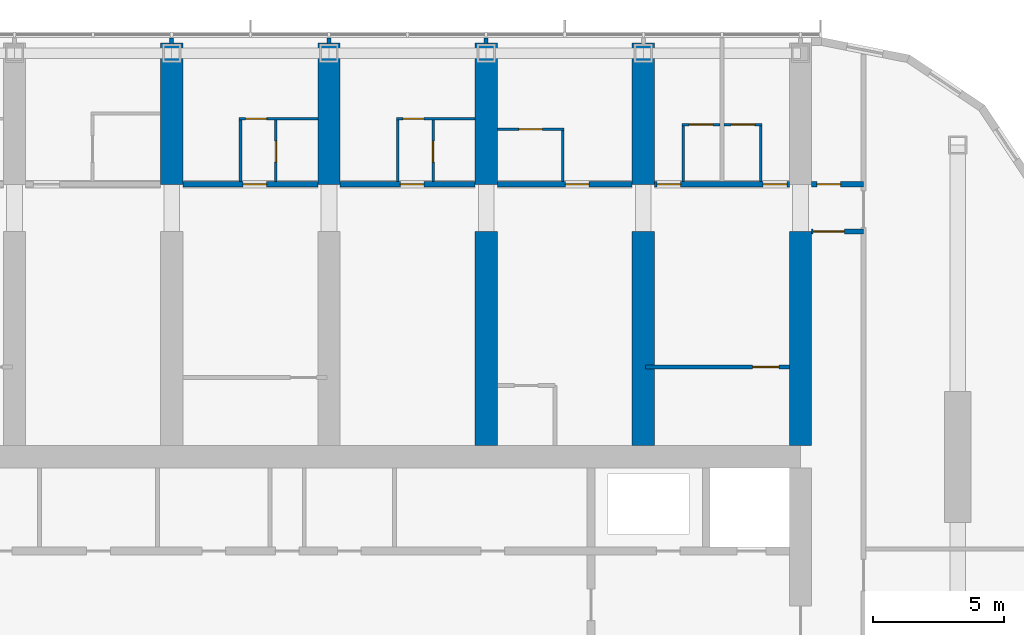
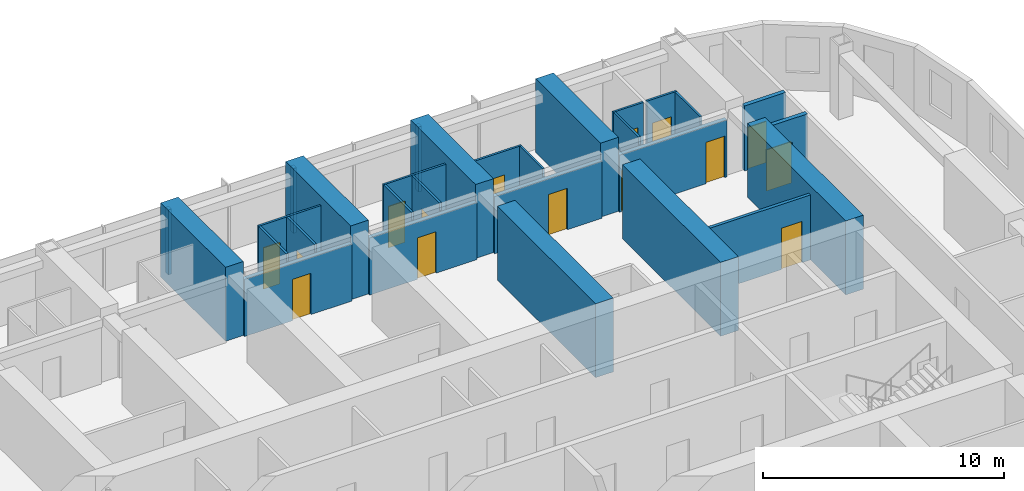
# One storey, part 16 of 22: 29 walls, 15 doors, 15 openings.
"""IFC4 building model written with IfcOpenShell, lengths in metres."""

from ifc_helpers import new_model, si_unit, direction, frame, frame_2d, origin, place, context, subcontext, project, spatial, polyline, rectangle, outline, extrude, material, layer, layer_set, type_object, element, fill, save


model = new_model("IFC4")

# Units and contexts
model_context = context("Model", 3, precision=1e-05, world=origin(), true_north=direction((0.0, 1.0)))
body_context = subcontext(model_context, "Body", "Model", "MODEL_VIEW")
ifc_project = project(units=[si_unit("LENGTHUNIT", "METRE"), si_unit("AREAUNIT", "SQUARE_METRE"), si_unit("VOLUMEUNIT", "CUBIC_METRE"), si_unit("PLANEANGLEUNIT", "RADIAN"), si_unit("MASSUNIT", "GRAM", prefix="KILO")], contexts=[model_context])

# Site, building, storey
site_placement = place(None, origin())
site = spatial("IfcSite", under=ifc_project, at=site_placement, CompositionType="ELEMENT")
building_placement = place(site_placement, origin())
building = spatial("IfcBuilding", under=site, at=building_placement, Name="Orbita Commons", CompositionType="ELEMENT")
storey_placement = place(building_placement, frame((0.0, 0.0, 159.85009765625)))
storey = spatial("IfcBuildingStorey", under=building, at=storey_placement, Name="L39", CompositionType="ELEMENT", Elevation=159.85009765625)

# Wall, opening, door
ifc_material_1 = material(Name="Concrete blockwork", Category="masonry")
ifc_layer_1 = layer(ifc_material_1, 0.199951171875)
ifc_layer_set_1 = layer_set([ifc_layer_1], Name="Concrete blockwork")
wall_type_1 = type_object("IfcWallType", Name="Corridor wall 200 blockwork", PredefinedType="SOLIDWALL", material=ifc_layer_set_1)
wall_1_placement = place(storey_placement, frame((42.425048828125, 48.60009765625, 0.0), z_axis=(0.0, 0.0, 1.0), x_axis=(1.0, 0.0, 0.0)))
wall_1 = element("IfcWall", 1, at=wall_1_placement, inside=storey, type_object=wall_type_1, Name="Corridor wall 200 blockwork L39", PredefinedType="SOLIDWALL", context=body_context, shape_type="SweptSolid", body=[
    extrude(outline(polyline([(0.0, 0.0), (5.14990234375, 0.0), (5.14990234375, 2.89990234375), (0.0, 2.89990234375), (0.0, 0.0)])), frame((0.0, 0.10009765625, 0.0), z_axis=(0.0, -1.0, 0.0), x_axis=(1.0, 0.0, 0.0)), (0.0, 0.0, 1.0), 0.199951171875),
])
opening_1_placement = place(wall_1_placement, frame((2.300048828125, 0.0, 0.0)))
opening_1 = element("IfcOpeningElement", 2, at=opening_1_placement, cuts=wall_1, Name="Opening D11", PredefinedType="OPENING", context=body_context, shape_type="SweptSolid", body=[
    extrude(rectangle(XDim=0.89990234375, YDim=2.10009765625, at=frame_2d((0.449951171875, 1.050048828125))), frame((0.0, 0.10986328125, 0.0), z_axis=(0.0, -1.0, 0.0), x_axis=(1.0, 0.0, 0.0)), (0.0, 0.0, 1.0), 0.219970703125),
])
ifc_material_2 = material(Name="Steel-faced fire door leaf", Category="steel")
door_type_1 = type_object("IfcDoorType", Name="Corridor door 20 min 900x2100", OperationType="SINGLE_SWING_LEFT", PredefinedType="DOOR", material=ifc_material_2)
door_1_placement = place(opening_1_placement, origin())
door_1 = element("IfcDoor", 3, at=door_1_placement, inside=storey, type_object=door_type_1, Name="Studio flat L39-N08 entrance door", OperationType="SINGLE_SWING_LEFT", OverallHeight=2.10009765625, OverallWidth=0.89990234375, PredefinedType="DOOR", context=body_context, shape_type="SweptSolid", body=[
    extrude(rectangle(XDim=0.89990234375, YDim=2.10009765625, at=frame_2d((0.449951171875, 1.050048828125))), frame((0.0, 0.02490234375, 0.0), z_axis=(0.0, -1.0, 0.0), x_axis=(1.0, 0.0, 0.0)), (0.0, 0.0, 1.0), 0.050048828125),
])
fill(opening_1, door_1)

wall_2_placement = place(storey_placement, frame((48.425048828125, 48.60009765625, 0.0), z_axis=(0.0, 0.0, 1.0), x_axis=(1.0, 0.0, 0.0)))
wall_2 = element("IfcWall", 4, at=wall_2_placement, inside=storey, type_object=wall_type_1, Name="Corridor wall 200 blockwork L39", PredefinedType="SOLIDWALL", context=body_context, shape_type="SweptSolid", body=[
    extrude(outline(polyline([(0.0, 0.0), (5.14990234375, 0.0), (5.14990234375, 2.89990234375), (0.0, 2.89990234375), (0.0, 0.0)])), frame((0.0, 0.10009765625, 0.0), z_axis=(0.0, -1.0, 0.0), x_axis=(1.0, 0.0, 0.0)), (0.0, 0.0, 1.0), 0.199951171875),
])
opening_2_placement = place(wall_2_placement, frame((2.300048828125, 0.0, 0.0)))
opening_2 = element("IfcOpeningElement", 5, at=opening_2_placement, cuts=wall_2, Name="Opening D11", PredefinedType="OPENING", context=body_context, shape_type="SweptSolid", body=[
    extrude(rectangle(XDim=0.89990234375, YDim=2.10009765625, at=frame_2d((0.449951171875, 1.050048828125))), frame((0.0, 0.10986328125, 0.0), z_axis=(0.0, -1.0, 0.0), x_axis=(1.0, 0.0, 0.0)), (0.0, 0.0, 1.0), 0.219970703125),
])
door_2_placement = place(opening_2_placement, origin())
door_2 = element("IfcDoor", 6, at=door_2_placement, inside=storey, type_object=door_type_1, Name="Studio flat L39-N10 entrance door", OperationType="SINGLE_SWING_LEFT", OverallHeight=2.10009765625, OverallWidth=0.89990234375, PredefinedType="DOOR", context=body_context, shape_type="SweptSolid", body=[
    extrude(rectangle(XDim=0.89990234375, YDim=2.10009765625, at=frame_2d((0.449951171875, 1.050048828125))), frame((0.0, 0.02490234375, 0.0), z_axis=(0.0, -1.0, 0.0), x_axis=(1.0, 0.0, 0.0)), (0.0, 0.0, 1.0), 0.050048828125),
])
fill(opening_2, door_2)

wall_3_placement = place(storey_placement, frame((54.425048828125, 48.60009765625, 0.0), z_axis=(0.0, 0.0, 1.0), x_axis=(1.0, 0.0, 0.0)))
wall_3 = element("IfcWall", 7, at=wall_3_placement, inside=storey, type_object=wall_type_1, Name="Corridor wall 200 blockwork L39", PredefinedType="SOLIDWALL", context=body_context, shape_type="SweptSolid", body=[
    extrude(outline(polyline([(0.0, 0.0), (5.14990234375, 0.0), (5.14990234375, 2.89990234375), (0.0, 2.89990234375), (0.0, 0.0)])), frame((0.0, 0.10009765625, 0.0), z_axis=(0.0, -1.0, 0.0), x_axis=(1.0, 0.0, 0.0)), (0.0, 0.0, 1.0), 0.199951171875),
])
opening_3_placement = place(wall_3_placement, frame((2.60009765625, 0.0, 0.0)))
opening_3 = element("IfcOpeningElement", 8, at=opening_3_placement, cuts=wall_3, Name="Opening D11", PredefinedType="OPENING", context=body_context, shape_type="SweptSolid", body=[
    extrude(rectangle(XDim=0.89990234375, YDim=2.10009765625, at=frame_2d((0.449951171875, 1.050048828125))), frame((0.0, 0.10986328125, 0.0), z_axis=(0.0, -1.0, 0.0), x_axis=(1.0, 0.0, 0.0)), (0.0, 0.0, 1.0), 0.219970703125),
])
door_3_placement = place(opening_3_placement, origin())
door_3 = element("IfcDoor", 9, at=door_3_placement, inside=storey, type_object=door_type_1, Name="Twin room L39-N12 door", OperationType="SINGLE_SWING_LEFT", OverallHeight=2.10009765625, OverallWidth=0.89990234375, PredefinedType="DOOR", context=body_context, shape_type="SweptSolid", body=[
    extrude(rectangle(XDim=0.89990234375, YDim=2.10009765625, at=frame_2d((0.449951171875, 1.050048828125))), frame((0.0, 0.02490234375, 0.0), z_axis=(0.0, -1.0, 0.0), x_axis=(1.0, 0.0, 0.0)), (0.0, 0.0, 1.0), 0.050048828125),
])
fill(opening_3, door_3)

# Wall, openings, doors
wall_4_placement = place(storey_placement, frame((60.425048828125, 48.60009765625, 0.0), z_axis=(0.0, 0.0, 1.0), x_axis=(1.0, 0.0, 0.0)))
wall_4 = element("IfcWall", 10, at=wall_4_placement, inside=storey, type_object=wall_type_1, Name="Corridor wall 200 blockwork L39", PredefinedType="SOLIDWALL", context=body_context, shape_type="SweptSolid", body=[
    extrude(outline(polyline([(0.0, 0.0), (5.14990234375, 0.0), (5.14990234375, 2.89990234375), (0.0, 2.89990234375), (0.0, 0.0)])), frame((0.0, 0.10009765625, 0.0), z_axis=(0.0, -1.0, 0.0), x_axis=(1.0, 0.0, 0.0)), (0.0, 0.0, 1.0), 0.199951171875),
])
opening_4_placement = place(wall_4_placement, frame((0.10009765625, 0.0, 0.0)))
opening_4 = element("IfcOpeningElement", 11, at=opening_4_placement, cuts=wall_4, Name="Opening D11", PredefinedType="OPENING", context=body_context, shape_type="SweptSolid", body=[
    extrude(rectangle(XDim=0.89990234375, YDim=2.10009765625, at=frame_2d((0.449951171875, 1.050048828125))), frame((0.0, 0.10986328125, 0.0), z_axis=(0.0, -1.0, 0.0), x_axis=(1.0, 0.0, 0.0)), (0.0, 0.0, 1.0), 0.219970703125),
])
opening_5_placement = place(wall_4_placement, frame((4.14990234375, 0.0, 0.0)))
opening_5 = element("IfcOpeningElement", 12, at=opening_5_placement, cuts=wall_4, Name="Opening D11", PredefinedType="OPENING", context=body_context, shape_type="SweptSolid", body=[
    extrude(rectangle(XDim=0.89990234375, YDim=2.10009765625, at=frame_2d((0.449951171875, 1.050048828125))), frame((0.0, 0.10986328125, 0.0), z_axis=(0.0, -1.0, 0.0), x_axis=(1.0, 0.0, 0.0)), (0.0, 0.0, 1.0), 0.219970703125),
])
door_4_placement = place(opening_4_placement, origin())
door_4 = element("IfcDoor", 13, at=door_4_placement, inside=storey, type_object=door_type_1, Name="Cluster bedroom L39-N14 door", OperationType="SINGLE_SWING_LEFT", OverallHeight=2.10009765625, OverallWidth=0.89990234375, PredefinedType="DOOR", context=body_context, shape_type="SweptSolid", body=[
    extrude(rectangle(XDim=0.89990234375, YDim=2.10009765625, at=frame_2d((0.449951171875, 1.050048828125))), frame((0.0, 0.02490234375, 0.0), z_axis=(0.0, -1.0, 0.0), x_axis=(1.0, 0.0, 0.0)), (0.0, 0.0, 1.0), 0.050048828125),
])
fill(opening_4, door_4)
door_5_placement = place(opening_5_placement, origin())
door_5 = element("IfcDoor", 14, at=door_5_placement, inside=storey, type_object=door_type_1, Name="Cluster bedroom L39-N15 door", OperationType="SINGLE_SWING_LEFT", OverallHeight=2.10009765625, OverallWidth=0.89990234375, PredefinedType="DOOR", context=body_context, shape_type="SweptSolid", body=[
    extrude(rectangle(XDim=0.89990234375, YDim=2.10009765625, at=frame_2d((0.449951171875, 1.050048828125))), frame((0.0, 0.02490234375, 0.0), z_axis=(0.0, -1.0, 0.0), x_axis=(1.0, 0.0, 0.0)), (0.0, 0.0, 1.0), 0.050048828125),
])
fill(opening_5, door_5)

# Wall, opening, door
wall_5_placement = place(storey_placement, frame((66.425048828125, 48.60009765625, 0.0), z_axis=(0.0, 0.0, 1.0), x_axis=(1.0, 0.0, 0.0)))
wall_5 = element("IfcWall", 15, at=wall_5_placement, inside=storey, type_object=wall_type_1, Name="Corridor wall 200 blockwork L39", PredefinedType="SOLIDWALL", context=body_context, shape_type="SweptSolid", body=[
    extrude(rectangle(XDim=1.974853515625, YDim=0.199951171875, at=frame_2d((0.9873046875, 0.0))), origin(), (0.0, 0.0, 1.0), 3.2998046875),
])
opening_6_placement = place(wall_5_placement, frame((0.199951171875, 0.0, 0.0)))
opening_6 = element("IfcOpeningElement", 16, at=opening_6_placement, cuts=wall_5, Name="Opening D05", PredefinedType="OPENING", context=body_context, shape_type="SweptSolid", body=[
    extrude(rectangle(XDim=0.89990234375, YDim=2.10009765625, at=frame_2d((0.449951171875, 1.050048828125))), frame((0.0, 0.10986328125, 0.0), z_axis=(0.0, -1.0, 0.0), x_axis=(1.0, 0.0, 0.0)), (0.0, 0.0, 1.0), 0.219970703125),
])
ifc_material_3 = material(Name="Steel-faced fire door leaf", Category="steel")
door_type_2 = type_object("IfcDoorType", Name="Service door 20 min 900x2100", OperationType="SINGLE_SWING_LEFT", PredefinedType="DOOR", material=ifc_material_3)
door_6_placement = place(opening_6_placement, origin())
door_6 = element("IfcDoor", 17, at=door_6_placement, inside=storey, type_object=door_type_2, Name="Linen store L39-KEN door", OperationType="SINGLE_SWING_LEFT", OverallHeight=2.10009765625, OverallWidth=0.89990234375, PredefinedType="DOOR", context=body_context, shape_type="SweptSolid", body=[
    extrude(rectangle(XDim=0.89990234375, YDim=2.10009765625, at=frame_2d((0.449951171875, 1.050048828125))), frame((0.0, 0.02490234375, 0.0), z_axis=(0.0, -1.0, 0.0), x_axis=(1.0, 0.0, 0.0)), (0.0, 0.0, 1.0), 0.050048828125),
])
fill(opening_6, door_6)

ifc_material_4 = material(Name="Hollow concrete block 200", Category="concrete")
ifc_layer_2 = layer(ifc_material_4, 0.199951171875)
ifc_layer_set_2 = layer_set([ifc_layer_2], Name="Hollow concrete block 200")
wall_type_2 = type_object("IfcWallType", Name="Corridor wall 200 hollow concrete block", PredefinedType="SOLIDWALL", material=ifc_layer_set_2)
wall_6_placement = place(storey_placement, frame((66.425048828125, 46.800048828125, 0.0), z_axis=(0.0, 0.0, 1.0), x_axis=(1.0, 0.0, 0.0)))
wall_6 = element("IfcWall", 18, at=wall_6_placement, inside=storey, type_object=wall_type_2, Name="Corridor wall 200 hollow concrete block L39", PredefinedType="SOLIDWALL", context=body_context, shape_type="SweptSolid", body=[
    extrude(rectangle(XDim=1.974853515625, YDim=0.199951171875, at=frame_2d((0.9873046875, 0.0))), origin(), (0.0, 0.0, 1.0), 3.2998046875),
])
opening_7_placement = place(wall_6_placement, frame((0.050048828125, 0.0, 0.0)))
opening_7 = element("IfcOpeningElement", 19, at=opening_7_placement, cuts=wall_6, Name="Opening D12", PredefinedType="OPENING", context=body_context, shape_type="SweptSolid", body=[
    extrude(rectangle(XDim=1.199951171875, YDim=2.10009765625, at=frame_2d((0.60009765625, 1.050048828125))), frame((0.0, 0.10986328125, 0.0), z_axis=(0.0, -1.0, 0.0), x_axis=(1.0, 0.0, 0.0)), (0.0, 0.0, 1.0), 0.219970703125),
])
ifc_material_5 = material(Name="Steel-faced fire door leaf", Category="steel")
door_type_3 = type_object("IfcDoorType", Name="Double corridor door 20 min 1200x2100", OperationType="DOUBLE_DOOR_SINGLE_SWING", PredefinedType="DOOR", material=ifc_material_5)
door_7_placement = place(opening_7_placement, origin())
door_7 = element("IfcDoor", 20, at=door_7_placement, inside=storey, type_object=door_type_3, Name="Cross corridor doors", OperationType="DOUBLE_DOOR_SINGLE_SWING", OverallHeight=2.10009765625, OverallWidth=1.199951171875, PredefinedType="DOOR", context=body_context, shape_type="SweptSolid", body=[
    extrude(rectangle(XDim=1.199951171875, YDim=2.10009765625, at=frame_2d((0.60009765625, 1.050048828125))), frame((0.0, 0.02490234375, 0.0), z_axis=(0.0, -1.0, 0.0), x_axis=(1.0, 0.0, 0.0)), (0.0, 0.0, 1.0), 0.050048828125),
])
fill(opening_7, door_7)

# Walls
ifc_material_6 = material(Name="Concrete C50/60", Category="concrete")
ifc_layer_3 = layer(ifc_material_6, 0.85009765625)
ifc_layer_set_3 = layer_set([ifc_layer_3], Name="Concrete C50/60")
wall_type_3 = type_object("IfcWallType", Name="Cross wall 850 C50/60", PredefinedType="SHEAR", material=ifc_layer_set_3)
for number, where, z_axis, x_axis, name in (
    (21, (42.0, 48.60009765625, 0.0), (0.0, 0.0, 1.0), (0.0, 1.0, 0.0), "Cross wall 8 north outer L39"),
    (22, (48.0, 48.60009765625, 0.0), (0.0, 0.0, 1.0), (0.0, 1.0, 0.0), "Cross wall 9 north outer L39"),
    (23, (54.0, 48.60009765625, 0.0), (0.0, 0.0, 1.0), (0.0, 1.0, 0.0), "Cross wall 10 north outer L39"),
):
    element("IfcWall", number, at=place(storey_placement, frame(where, z_axis=z_axis, x_axis=x_axis)), inside=storey, type_object=wall_type_3, Name=name, PredefinedType="SHEAR", context=body_context, shape_type="SweptSolid", body=[
        extrude(rectangle(XDim=5.39990234375, YDim=0.85009765625, at=frame_2d((2.699951171875, 0.0))), origin(), (0.0, 0.0, 1.0), 3.75),
    ])
wall_7_placement = place(storey_placement, frame((54.0, 38.625, 0.0), z_axis=(0.0, 0.0, 1.0), x_axis=(0.0, 1.0, 0.0)))
element("IfcWall", 24, at=wall_7_placement, inside=storey, type_object=wall_type_3, Name="Cross wall 10 north inner L39", PredefinedType="SHEAR", context=body_context, shape_type="SweptSolid", body=[
    extrude(rectangle(XDim=8.175048828125, YDim=0.85009765625, at=frame_2d((4.08740234375, 0.0))), origin(), (0.0, 0.0, 1.0), 3.75),
])
wall_8_placement = place(storey_placement, frame((60.0, 48.60009765625, 0.0), z_axis=(0.0, 0.0, 1.0), x_axis=(0.0, 1.0, 0.0)))
element("IfcWall", 25, at=wall_8_placement, inside=storey, type_object=wall_type_3, Name="Cross wall 11 north outer L39", PredefinedType="SHEAR", context=body_context, shape_type="SweptSolid", body=[
    extrude(rectangle(XDim=5.39990234375, YDim=0.85009765625, at=frame_2d((2.699951171875, 0.0))), origin(), (0.0, 0.0, 1.0), 3.75),
])
for number, where, z_axis, x_axis, name in (
    (26, (60.0, 38.625, 0.0), (0.0, 0.0, 1.0), (0.0, 1.0, 0.0), "Cross wall 11 north inner L39"),
    (27, (66.0, 38.625, 0.0), (0.0, 0.0, 1.0), (0.0, 1.0, 0.0), "Cross wall 12 north inner L39"),
):
    element("IfcWall", number, at=place(storey_placement, frame(where, z_axis=z_axis, x_axis=x_axis)), inside=storey, type_object=wall_type_3, Name=name, PredefinedType="SHEAR", context=body_context, shape_type="SweptSolid", body=[
        extrude(rectangle(XDim=8.175048828125, YDim=0.85009765625, at=frame_2d((4.08740234375, 0.0))), origin(), (0.0, 0.0, 1.0), 3.75),
    ])

# Wall, opening, door
ifc_material_7 = material(Name="Moisture-resistant plasterboard on steel studs", Category="steel")
ifc_layer_4 = layer(ifc_material_7, 0.10009765625)
ifc_layer_set_4 = layer_set([ifc_layer_4], Name="Moisture-resistant plasterboard on steel studs")
wall_type_4 = type_object("IfcWallType", Name="En-suite partition 100", PredefinedType="PARTITIONING", material=ifc_layer_set_4)
wall_9_placement = place(storey_placement, frame((44.574951171875, 51.10009765625, 0.0), z_axis=(0.0, 0.0, 1.0), x_axis=(1.0, 0.0, 0.0)))
wall_9 = element("IfcWall", 28, at=wall_9_placement, inside=storey, type_object=wall_type_4, Name="En-suite partition 100 L39", PredefinedType="PARTITIONING", context=body_context, shape_type="SweptSolid", body=[
    extrude(rectangle(XDim=3.0, YDim=0.10009765625, at=frame_2d((1.5, 0.0))), origin(), (0.0, 0.0, 1.0), 3.2998046875),
])
opening_8_placement = place(wall_9_placement, frame((0.25, 0.0, 0.0)))
opening_8 = element("IfcOpeningElement", 29, at=opening_8_placement, cuts=wall_9, Name="Opening D16", PredefinedType="OPENING", context=body_context, shape_type="SweptSolid", body=[
    extrude(rectangle(XDim=0.800048828125, YDim=2.10009765625, at=frame_2d((0.39990234375, 1.050048828125))), frame((0.0, 0.06005859375, 0.0), z_axis=(0.0, -1.0, 0.0), x_axis=(1.0, 0.0, 0.0)), (0.0, 0.0, 1.0), 0.1201171875),
])
ifc_material_8 = material(Name="Laminated timber door leaf", Category="wood")
door_type_4 = type_object("IfcDoorType", Name="En-suite door 800x2100", OperationType="SINGLE_SWING_RIGHT", PredefinedType="DOOR", material=ifc_material_8)
door_8_placement = place(opening_8_placement, origin())
door_8 = element("IfcDoor", 30, at=door_8_placement, inside=storey, type_object=door_type_4, Name="Studio flat L39-N08 door", OperationType="SINGLE_SWING_RIGHT", OverallHeight=2.10009765625, OverallWidth=0.800048828125, PredefinedType="DOOR", context=body_context, shape_type="SweptSolid", body=[
    extrude(rectangle(XDim=0.800048828125, YDim=2.10009765625, at=frame_2d((0.39990234375, 1.050048828125))), frame((0.0, 0.02490234375, 0.0), z_axis=(0.0, -1.0, 0.0), x_axis=(1.0, 0.0, 0.0)), (0.0, 0.0, 1.0), 0.050048828125),
])
fill(opening_8, door_8)

# Wall
wall_10_placement = place(storey_placement, frame((44.625, 51.050048828125, 0.0), z_axis=(0.0, 0.0, 1.0), x_axis=(0.0, -1.0, 0.0)))
element("IfcWall", 31, at=wall_10_placement, inside=storey, type_object=wall_type_4, Name="En-suite partition 100 L39", PredefinedType="PARTITIONING", context=body_context, shape_type="SweptSolid", body=[
    extrude(outline(polyline([(0.0, 0.0), (2.35009765625, 0.0), (2.35009765625, 2.89990234375), (2.302001953125, 2.89990234375), (2.300048828125, 3.2998046875), (0.0, 3.2998046875), (0.0, 0.0)])), frame((0.0, 0.050048828125, 0.0), z_axis=(0.0, -1.0, 0.0), x_axis=(1.0, 0.0, 0.0)), (0.0, 0.0, 1.0), 0.10009765625),
])

# Wall, opening, door
wall_11_placement = place(storey_placement, frame((45.97509765625, 51.050048828125, 0.0), z_axis=(0.0, 0.0, 1.0), x_axis=(0.0, -1.0, 0.0)))
wall_11 = element("IfcWall", 32, at=wall_11_placement, inside=storey, type_object=wall_type_4, Name="En-suite partition 100 L39", PredefinedType="PARTITIONING", context=body_context, shape_type="SweptSolid", body=[
    extrude(outline(polyline([(0.0, 0.0), (2.35009765625, 0.0), (2.35009765625, 2.89990234375), (2.302001953125, 2.89990234375), (2.300048828125, 3.2998046875), (0.0, 3.2998046875), (0.0, 0.0)])), frame((0.0, 0.050048828125, 0.0), z_axis=(0.0, -1.0, 0.0), x_axis=(1.0, 0.0, 0.0)), (0.0, 0.0, 1.0), 0.10009765625),
])
opening_9_placement = place(wall_11_placement, frame((0.800048828125, 0.0, 0.0)))
opening_9 = element("IfcOpeningElement", 33, at=opening_9_placement, cuts=wall_11, Name="Opening D16", PredefinedType="OPENING", context=body_context, shape_type="SweptSolid", body=[
    extrude(rectangle(XDim=0.800048828125, YDim=2.10009765625, at=frame_2d((0.39990234375, 1.050048828125))), frame((0.0, 0.06005859375, 0.0), z_axis=(0.0, -1.0, 0.0), x_axis=(1.0, 0.0, 0.0)), (0.0, 0.0, 1.0), 0.1201171875),
])
door_9_placement = place(opening_9_placement, origin())
door_9 = element("IfcDoor", 34, at=door_9_placement, inside=storey, type_object=door_type_4, Name="Studio flat shower room L39-N08 door", OperationType="SINGLE_SWING_RIGHT", OverallHeight=2.10009765625, OverallWidth=0.800048828125, PredefinedType="DOOR", context=body_context, shape_type="SweptSolid", body=[
    extrude(rectangle(XDim=0.800048828125, YDim=2.10009765625, at=frame_2d((0.39990234375, 1.050048828125))), frame((0.0, 0.02490234375, 0.0), z_axis=(0.0, -1.0, 0.0), x_axis=(1.0, 0.0, 0.0)), (0.0, 0.0, 1.0), 0.050048828125),
])
fill(opening_9, door_9)

wall_12_placement = place(storey_placement, frame((50.574951171875, 51.10009765625, 0.0), z_axis=(0.0, 0.0, 1.0), x_axis=(1.0, 0.0, 0.0)))
wall_12 = element("IfcWall", 35, at=wall_12_placement, inside=storey, type_object=wall_type_4, Name="En-suite partition 100 L39", PredefinedType="PARTITIONING", context=body_context, shape_type="SweptSolid", body=[
    extrude(rectangle(XDim=3.0, YDim=0.10009765625, at=frame_2d((1.5, 0.0))), origin(), (0.0, 0.0, 1.0), 3.2998046875),
])
opening_10_placement = place(wall_12_placement, frame((0.25, 0.0, 0.0)))
opening_10 = element("IfcOpeningElement", 36, at=opening_10_placement, cuts=wall_12, Name="Opening D16", PredefinedType="OPENING", context=body_context, shape_type="SweptSolid", body=[
    extrude(rectangle(XDim=0.800048828125, YDim=2.10009765625, at=frame_2d((0.39990234375, 1.050048828125))), frame((0.0, 0.06005859375, 0.0), z_axis=(0.0, -1.0, 0.0), x_axis=(1.0, 0.0, 0.0)), (0.0, 0.0, 1.0), 0.1201171875),
])
door_10_placement = place(opening_10_placement, origin())
door_10 = element("IfcDoor", 37, at=door_10_placement, inside=storey, type_object=door_type_4, Name="Studio flat L39-N10 door", OperationType="SINGLE_SWING_RIGHT", OverallHeight=2.10009765625, OverallWidth=0.800048828125, PredefinedType="DOOR", context=body_context, shape_type="SweptSolid", body=[
    extrude(rectangle(XDim=0.800048828125, YDim=2.10009765625, at=frame_2d((0.39990234375, 1.050048828125))), frame((0.0, 0.02490234375, 0.0), z_axis=(0.0, -1.0, 0.0), x_axis=(1.0, 0.0, 0.0)), (0.0, 0.0, 1.0), 0.050048828125),
])
fill(opening_10, door_10)

# Wall
wall_13_placement = place(storey_placement, frame((50.625, 51.050048828125, 0.0), z_axis=(0.0, 0.0, 1.0), x_axis=(0.0, -1.0, 0.0)))
element("IfcWall", 38, at=wall_13_placement, inside=storey, type_object=wall_type_4, Name="En-suite partition 100 L39", PredefinedType="PARTITIONING", context=body_context, shape_type="SweptSolid", body=[
    extrude(outline(polyline([(0.0, 0.0), (2.35009765625, 0.0), (2.35009765625, 2.89990234375), (2.302001953125, 2.89990234375), (2.300048828125, 3.2998046875), (0.0, 3.2998046875), (0.0, 0.0)])), frame((0.0, 0.050048828125, 0.0), z_axis=(0.0, -1.0, 0.0), x_axis=(1.0, 0.0, 0.0)), (0.0, 0.0, 1.0), 0.10009765625),
])

# Wall, opening, door
wall_14_placement = place(storey_placement, frame((51.97509765625, 51.050048828125, 0.0), z_axis=(0.0, 0.0, 1.0), x_axis=(0.0, -1.0, 0.0)))
wall_14 = element("IfcWall", 39, at=wall_14_placement, inside=storey, type_object=wall_type_4, Name="En-suite partition 100 L39", PredefinedType="PARTITIONING", context=body_context, shape_type="SweptSolid", body=[
    extrude(outline(polyline([(0.0, 0.0), (2.35009765625, 0.0), (2.35009765625, 2.89990234375), (2.302001953125, 2.89990234375), (2.300048828125, 3.2998046875), (0.0, 3.2998046875), (0.0, 0.0)])), frame((0.0, 0.050048828125, 0.0), z_axis=(0.0, -1.0, 0.0), x_axis=(1.0, 0.0, 0.0)), (0.0, 0.0, 1.0), 0.10009765625),
])
opening_11_placement = place(wall_14_placement, frame((0.800048828125, 0.0, 0.0)))
opening_11 = element("IfcOpeningElement", 40, at=opening_11_placement, cuts=wall_14, Name="Opening D16", PredefinedType="OPENING", context=body_context, shape_type="SweptSolid", body=[
    extrude(rectangle(XDim=0.800048828125, YDim=2.10009765625, at=frame_2d((0.39990234375, 1.050048828125))), frame((0.0, 0.06005859375, 0.0), z_axis=(0.0, -1.0, 0.0), x_axis=(1.0, 0.0, 0.0)), (0.0, 0.0, 1.0), 0.1201171875),
])
door_11_placement = place(opening_11_placement, origin())
door_11 = element("IfcDoor", 41, at=door_11_placement, inside=storey, type_object=door_type_4, Name="Studio flat shower room L39-N10 door", OperationType="SINGLE_SWING_RIGHT", OverallHeight=2.10009765625, OverallWidth=0.800048828125, PredefinedType="DOOR", context=body_context, shape_type="SweptSolid", body=[
    extrude(rectangle(XDim=0.800048828125, YDim=2.10009765625, at=frame_2d((0.39990234375, 1.050048828125))), frame((0.0, 0.02490234375, 0.0), z_axis=(0.0, -1.0, 0.0), x_axis=(1.0, 0.0, 0.0)), (0.0, 0.0, 1.0), 0.050048828125),
])
fill(opening_11, door_11)

wall_15_placement = place(storey_placement, frame((54.425048828125, 50.699951171875, 0.0), z_axis=(0.0, 0.0, 1.0), x_axis=(1.0, 0.0, 0.0)))
wall_15 = element("IfcWall", 42, at=wall_15_placement, inside=storey, type_object=wall_type_4, Name="En-suite partition 100 L39", PredefinedType="PARTITIONING", context=body_context, shape_type="SweptSolid", body=[
    extrude(rectangle(XDim=2.550048828125, YDim=0.10009765625, at=frame_2d((1.27490234375, 0.0))), origin(), (0.0, 0.0, 1.0), 3.2998046875),
])
opening_12_placement = place(wall_15_placement, frame((0.824951171875, 0.0, 0.0)))
opening_12 = element("IfcOpeningElement", 43, at=opening_12_placement, cuts=wall_15, Name="Opening D09", PredefinedType="OPENING", context=body_context, shape_type="SweptSolid", body=[
    extrude(rectangle(XDim=0.89990234375, YDim=2.10009765625, at=frame_2d((0.449951171875, 1.050048828125))), frame((0.0, 0.06005859375, 0.0), z_axis=(0.0, -1.0, 0.0), x_axis=(1.0, 0.0, 0.0)), (0.0, 0.0, 1.0), 0.1201171875),
])
ifc_material_9 = material(Name="Laminated timber door leaf", Category="wood")
door_type_5 = type_object("IfcDoorType", Name="En-suite door 900x2100", OperationType="SINGLE_SWING_RIGHT", PredefinedType="DOOR", material=ifc_material_9)
door_12_placement = place(opening_12_placement, origin())
door_12 = element("IfcDoor", 44, at=door_12_placement, inside=storey, type_object=door_type_5, Name="En-suite L39-N12 door", OperationType="SINGLE_SWING_RIGHT", OverallHeight=2.10009765625, OverallWidth=0.89990234375, PredefinedType="DOOR", context=body_context, shape_type="SweptSolid", body=[
    extrude(rectangle(XDim=0.89990234375, YDim=2.10009765625, at=frame_2d((0.449951171875, 1.050048828125))), frame((0.0, 0.02490234375, 0.0), z_axis=(0.0, -1.0, 0.0), x_axis=(1.0, 0.0, 0.0)), (0.0, 0.0, 1.0), 0.050048828125),
])
fill(opening_12, door_12)

# Wall
wall_16_placement = place(storey_placement, frame((56.925048828125, 50.64990234375, 0.0), z_axis=(0.0, 0.0, 1.0), x_axis=(0.0, -1.0, 0.0)))
element("IfcWall", 45, at=wall_16_placement, inside=storey, type_object=wall_type_4, Name="En-suite partition 100 L39", PredefinedType="PARTITIONING", context=body_context, shape_type="SweptSolid", body=[
    extrude(outline(polyline([(0.0, 0.0), (1.949951171875, 0.0), (1.949951171875, 2.89990234375), (1.902099609375, 2.89990234375), (1.89990234375, 3.2998046875), (0.0, 3.2998046875), (0.0, 0.0)])), frame((0.0, 0.050048828125, 0.0), z_axis=(0.0, -1.0, 0.0), x_axis=(1.0, 0.0, 0.0)), (0.0, 0.0, 1.0), 0.10009765625),
])

# Wall, opening, door
wall_17_placement = place(storey_placement, frame((61.47509765625, 50.878662109375, 0.0), z_axis=(0.0, 0.0, 1.0), x_axis=(1.0, 0.0, 0.0)))
wall_17 = element("IfcWall", 46, at=wall_17_placement, inside=storey, type_object=wall_type_4, Name="En-suite partition 100 L39", PredefinedType="PARTITIONING", context=body_context, shape_type="SweptSolid", body=[
    extrude(rectangle(XDim=1.449951171875, YDim=0.10009765625, at=frame_2d((0.72509765625, 0.0))), origin(), (0.0, 0.0, 1.0), 3.2998046875),
])
opening_13_placement = place(wall_17_placement, frame((0.27490234375, 0.0, 0.0)))
opening_13 = element("IfcOpeningElement", 47, at=opening_13_placement, cuts=wall_17, Name="Opening D09", PredefinedType="OPENING", context=body_context, shape_type="SweptSolid", body=[
    extrude(rectangle(XDim=0.89990234375, YDim=2.10009765625, at=frame_2d((0.449951171875, 1.050048828125))), frame((0.0, 0.06005859375, 0.0), z_axis=(0.0, -1.0, 0.0), x_axis=(1.0, 0.0, 0.0)), (0.0, 0.0, 1.0), 0.1201171875),
])
door_13_placement = place(opening_13_placement, origin())
door_13 = element("IfcDoor", 48, at=door_13_placement, inside=storey, type_object=door_type_5, Name="En-suite L39-N14 door", OperationType="SINGLE_SWING_RIGHT", OverallHeight=2.10009765625, OverallWidth=0.89990234375, PredefinedType="DOOR", context=body_context, shape_type="SweptSolid", body=[
    extrude(rectangle(XDim=0.89990234375, YDim=2.10009765625, at=frame_2d((0.449951171875, 1.050048828125))), frame((0.0, 0.02490234375, 0.0), z_axis=(0.0, -1.0, 0.0), x_axis=(1.0, 0.0, 0.0)), (0.0, 0.0, 1.0), 0.050048828125),
])
fill(opening_13, door_13)

# Wall
wall_18_placement = place(storey_placement, frame((61.52490234375, 50.82861328125, 0.0), z_axis=(0.0, 0.0, 1.0), x_axis=(0.0, -1.0, 0.0)))
element("IfcWall", 49, at=wall_18_placement, inside=storey, type_object=wall_type_4, Name="En-suite partition 100 L39", PredefinedType="PARTITIONING", context=body_context, shape_type="SweptSolid", body=[
    extrude(outline(polyline([(0.0, 0.0), (2.128662109375, 0.0), (2.128662109375, 2.89990234375), (2.08056640625, 2.89990234375), (2.07861328125, 3.2998046875), (0.0, 3.2998046875), (0.0, 0.0)])), frame((0.0, 0.050048828125, 0.0), z_axis=(0.0, -1.0, 0.0), x_axis=(1.0, 0.0, 0.0)), (0.0, 0.0, 1.0), 0.10009765625),
])

# Wall, opening, door
wall_19_placement = place(storey_placement, frame((63.074951171875, 50.878662109375, 0.0), z_axis=(0.0, 0.0, 1.0), x_axis=(1.0, 0.0, 0.0)))
wall_19 = element("IfcWall", 50, at=wall_19_placement, inside=storey, type_object=wall_type_4, Name="En-suite partition 100 L39", PredefinedType="PARTITIONING", context=body_context, shape_type="SweptSolid", body=[
    extrude(rectangle(XDim=1.449951171875, YDim=0.10009765625, at=frame_2d((0.72509765625, 0.0))), origin(), (0.0, 0.0, 1.0), 3.2998046875),
])
opening_14_placement = place(wall_19_placement, frame((0.27490234375, 0.0, 0.0)))
opening_14 = element("IfcOpeningElement", 51, at=opening_14_placement, cuts=wall_19, Name="Opening D09", PredefinedType="OPENING", context=body_context, shape_type="SweptSolid", body=[
    extrude(rectangle(XDim=0.89990234375, YDim=2.10009765625, at=frame_2d((0.449951171875, 1.050048828125))), frame((0.0, 0.06005859375, 0.0), z_axis=(0.0, -1.0, 0.0), x_axis=(1.0, 0.0, 0.0)), (0.0, 0.0, 1.0), 0.1201171875),
])
door_14_placement = place(opening_14_placement, origin())
door_14 = element("IfcDoor", 52, at=door_14_placement, inside=storey, type_object=door_type_5, Name="En-suite L39-N15 door", OperationType="SINGLE_SWING_RIGHT", OverallHeight=2.10009765625, OverallWidth=0.89990234375, PredefinedType="DOOR", context=body_context, shape_type="SweptSolid", body=[
    extrude(rectangle(XDim=0.89990234375, YDim=2.10009765625, at=frame_2d((0.449951171875, 1.050048828125))), frame((0.0, 0.02490234375, 0.0), z_axis=(0.0, -1.0, 0.0), x_axis=(1.0, 0.0, 0.0)), (0.0, 0.0, 1.0), 0.050048828125),
])
fill(opening_14, door_14)

# Wall
wall_20_placement = place(storey_placement, frame((64.47509765625, 50.82861328125, 0.0), z_axis=(0.0, 0.0, 1.0), x_axis=(0.0, -1.0, 0.0)))
element("IfcWall", 53, at=wall_20_placement, inside=storey, type_object=wall_type_4, Name="En-suite partition 100 L39", PredefinedType="PARTITIONING", context=body_context, shape_type="SweptSolid", body=[
    extrude(outline(polyline([(0.0, 0.0), (2.128662109375, 0.0), (2.128662109375, 2.89990234375), (2.08056640625, 2.89990234375), (2.07861328125, 3.2998046875), (0.0, 3.2998046875), (0.0, 0.0)])), frame((0.0, 0.050048828125, 0.0), z_axis=(0.0, -1.0, 0.0), x_axis=(1.0, 0.0, 0.0)), (0.0, 0.0, 1.0), 0.10009765625),
])

# Wall, opening, door
ifc_material_10 = material(Name="Gypsum plasterboard on steel studs", Category="steel")
ifc_layer_5 = layer(ifc_material_10, 0.14990234375)
ifc_layer_set_5 = layer_set([ifc_layer_5], Name="Gypsum plasterboard on steel studs")
wall_type_5 = type_object("IfcWallType", Name="Partition 150 plasterboard", PredefinedType="PARTITIONING", material=ifc_layer_set_5)
wall_21_placement = place(storey_placement, frame((65.574951171875, 41.625, 0.0), z_axis=(0.0, 0.0, 1.0), x_axis=(-1.0, 0.0, 0.0)))
wall_21 = element("IfcWall", 54, at=wall_21_placement, inside=storey, type_object=wall_type_5, Name="Partition 150 plasterboard L39", PredefinedType="PARTITIONING", context=body_context, shape_type="SweptSolid", body=[
    extrude(rectangle(XDim=5.5, YDim=0.14990234375, at=frame_2d((2.75, 0.0))), origin(), (0.0, 0.0, 1.0), 3.2998046875),
])
opening_15_placement = place(wall_21_placement, frame((0.39990234375, 0.0, 0.0)))
opening_15 = element("IfcOpeningElement", 55, at=opening_15_placement, cuts=wall_21, Name="Opening D18", PredefinedType="OPENING", context=body_context, shape_type="SweptSolid", body=[
    extrude(rectangle(XDim=1.0, YDim=2.10009765625, at=frame_2d((0.5, 1.050048828125))), frame((0.0, 0.0849609375, 0.0), z_axis=(0.0, -1.0, 0.0), x_axis=(1.0, 0.0, 0.0)), (0.0, 0.0, 1.0), 0.169921875),
])
ifc_material_11 = material(Name="Steel-faced fire door leaf", Category="steel")
door_type_6 = type_object("IfcDoorType", Name="Service door 20 min 1000x2100", OperationType="SINGLE_SWING_LEFT", PredefinedType="DOOR", material=ifc_material_11)
door_15_placement = place(opening_15_placement, origin())
door_15 = element("IfcDoor", 56, at=door_15_placement, inside=storey, type_object=door_type_6, Name="Bulk and luggage store L39-BDN60 door", OperationType="SINGLE_SWING_LEFT", OverallHeight=2.10009765625, OverallWidth=1.0, PredefinedType="DOOR", context=body_context, shape_type="SweptSolid", body=[
    extrude(rectangle(XDim=1.0, YDim=2.10009765625, at=frame_2d((0.5, 1.050048828125))), frame((0.0, 0.02490234375, 0.0), z_axis=(0.0, -1.0, 0.0), x_axis=(1.0, 0.0, 0.0)), (0.0, 0.0, 1.0), 0.050048828125),
])
fill(opening_15, door_15)

# Walls
for number, where, z_axis, x_axis, name in (
    (57, (42.0, 53.949951171875, 0.0), (0.0, 0.0, 1.0), (0.0, 1.0, 0.0), "Partition 150 plasterboard L39"),
    (58, (48.0, 53.949951171875, 0.0), (0.0, 0.0, 1.0), (0.0, 1.0, 0.0), "Partition 150 plasterboard L39"),
    (59, (54.0, 53.949951171875, 0.0), (0.0, 0.0, 1.0), (0.0, 1.0, 0.0), "Partition 150 plasterboard L39"),
):
    element("IfcWall", number, at=place(storey_placement, frame(where, z_axis=z_axis, x_axis=x_axis)), inside=storey, type_object=wall_type_5, Name=name, PredefinedType="PARTITIONING", context=body_context, shape_type="SweptSolid", body=[
        extrude(rectangle(XDim=0.239990234375, YDim=0.14990234375, at=frame_2d((0.1201171875, 0.0))), origin(), (0.0, 0.0, 1.0), 3.2998046875),
    ])

save(model, "model.ifc")
